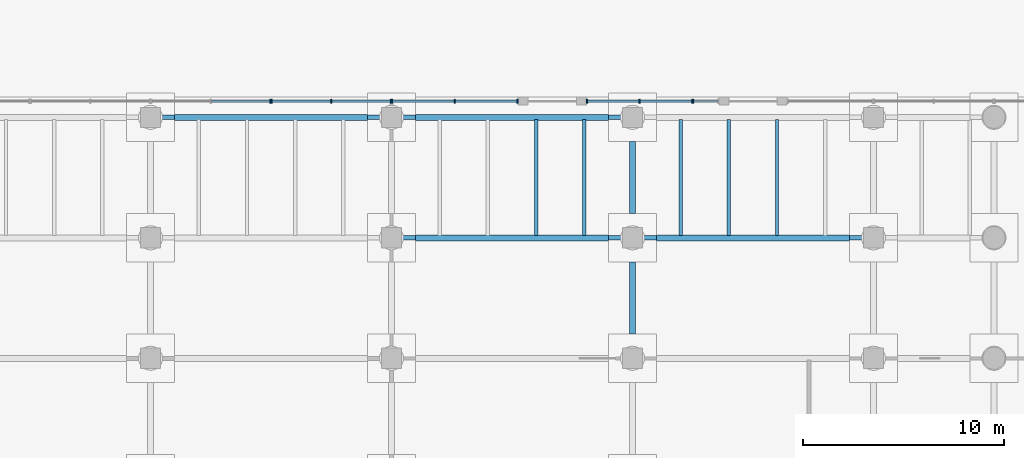
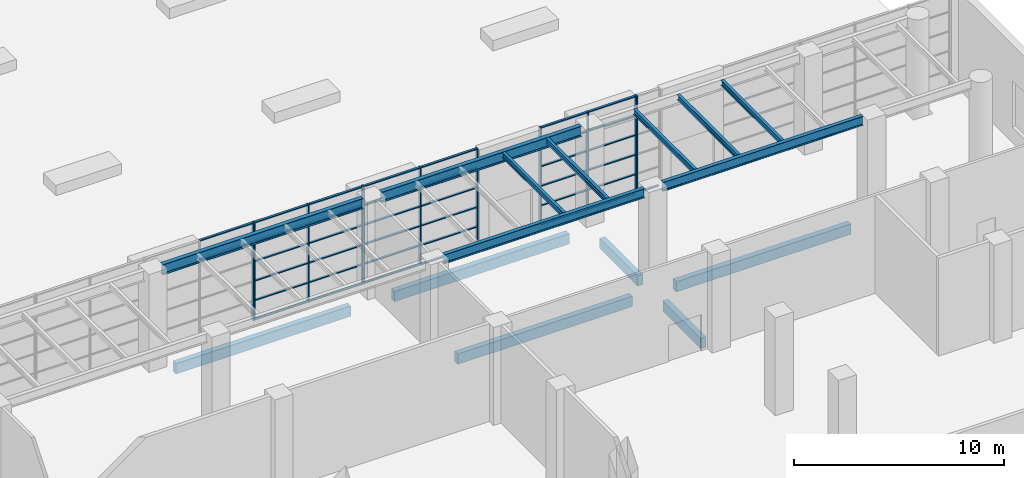
# One storey, part 6 of 27: 50 members, 15 beams, 5 elements without a shape of their own.
"""IFC4 building model written with IfcOpenShell, lengths in metres."""

from ifc_helpers import new_model, si_unit, direction, frame, origin, origin_2d, place, context, subcontext, project, spatial, rectangle, i_section, extrude, source, transform, mapped, material, layer, layer_set, material_profile, profile_set, type_object, element, aggregate, save


model = new_model("IFC4")

# Units and contexts
model_context = context("Model", 3, precision=1e-05, world=origin(), true_north=direction((0.0, 1.0)))
body_context = subcontext(model_context, "Body", "Model", "MODEL_VIEW")
ifc_project = project(units=[si_unit("LENGTHUNIT", "METRE"), si_unit("AREAUNIT", "SQUARE_METRE"), si_unit("VOLUMEUNIT", "CUBIC_METRE"), si_unit("PLANEANGLEUNIT", "RADIAN"), si_unit("MASSUNIT", "GRAM", prefix="KILO")], contexts=[model_context])

# Site, building, storey
site_placement = place(None, origin())
site = spatial("IfcSite", under=ifc_project, at=site_placement, CompositionType="ELEMENT")
building_placement = place(site_placement, origin())
building = spatial("IfcBuilding", under=site, at=building_placement, Name="Poui Terraces", CompositionType="ELEMENT")
storey_placement = place(building_placement, origin())
storey = spatial("IfcBuildingStorey", under=building, at=storey_placement, Name="L00", CompositionType="ELEMENT", Elevation=0.0)

# Curtain wall, member
ifc_material_1 = material(Name="Clear glass", Category="glass")
ifc_layer = layer(ifc_material_1, 0.179931640625)
ifc_layer_set = layer_set([ifc_layer], Name="Clear glass")
curtain_wall_type = type_object("IfcCurtainWallType", Name="CURTAIN WALL CW-B RESIDENT LOBBY GLAZING", PredefinedType="NOTDEFINED", material=ifc_layer_set)
curtain_wall_1_placement = place(storey_placement, origin())
curtain_wall_1 = element("IfcCurtainWall", 1, at=curtain_wall_1_placement, inside=storey, type_object=curtain_wall_type, Name="CW-B RESIDENT LOBBY GLAZING", PredefinedType="NOTDEFINED")
ifc_material_2 = material(Name="Aluminium frame", Category="aluminium")
ifc_material_profile_1 = material_profile(ifc_material_2, rectangle(XDim=0.179931640625, YDim=0.06005859375, at=origin_2d()), Name="CW-B MULLION 60X180")
ifc_profile_set_1 = profile_set([ifc_material_profile_1], Name="Aluminium frame")
member_type_1 = type_object("IfcMemberType", Name="CW-B MULLION 60X180", PredefinedType="MULLION", material=ifc_profile_set_1)
member_1_placement = place(storey_placement, frame((65.969970703125, 74.800048828125, 0.0), z_axis=(0.0, 0.0, 1.0), x_axis=(0.0, -1.0, 0.0)))
member_1 = element("IfcMember", 2, at=member_1_placement, type_object=member_type_1, Name="CW-B mullion 1", PredefinedType="MULLION", context=body_context, shape_type="SweptSolid", body=[
    extrude(rectangle(XDim=0.179931640625, YDim=0.06005859375, at=origin_2d()), origin(), (0.0, 0.0, 1.0), 5.679931640625),
])

# Curtain wall, members
curtain_wall_2_placement = place(storey_placement, origin())
curtain_wall_2 = element("IfcCurtainWall", 3, at=curtain_wall_2_placement, inside=storey, type_object=curtain_wall_type, Name="CW-B RESIDENT LOBBY GLAZING", PredefinedType="NOTDEFINED")
member_2_placement = place(storey_placement, frame((71.969970703125, 74.800048828125, 0.0), z_axis=(0.0, 0.0, 1.0), x_axis=(0.0, -1.0, 0.0)))
member_2 = element("IfcMember", 4, at=member_2_placement, type_object=member_type_1, Name="CW-B mullion 1", PredefinedType="MULLION", context=body_context, shape_type="SweptSolid", body=[
    extrude(rectangle(XDim=0.179931640625, YDim=0.06005859375, at=origin_2d()), origin(), (0.0, 0.0, 1.0), 5.679931640625),
])
member_3_placement = place(storey_placement, frame((69.0, 74.800048828125, 0.0), z_axis=(0.0, 0.0, 1.0), x_axis=(0.0, -1.0, 0.0)))
member_3 = element("IfcMember", 5, at=member_3_placement, type_object=member_type_1, Name="CW-B mullion 2", PredefinedType="MULLION", context=body_context, shape_type="SweptSolid", body=[
    extrude(rectangle(XDim=0.179931640625, YDim=0.06005859375, at=origin_2d()), origin(), (0.0, 0.0, 1.0), 5.679931640625),
])
member_4_placement = place(storey_placement, frame((66.030029296875, 74.800048828125, 0.0), z_axis=(0.0, 0.0, 1.0), x_axis=(0.0, -1.0, 0.0)))
member_4 = element("IfcMember", 6, at=member_4_placement, type_object=member_type_1, Name="CW-B mullion 3", PredefinedType="MULLION", context=body_context, shape_type="SweptSolid", body=[
    extrude(rectangle(XDim=0.179931640625, YDim=0.06005859375, at=origin_2d()), origin(), (0.0, 0.0, 1.0), 5.679931640625),
])

curtain_wall_3_placement = place(storey_placement, origin())
curtain_wall_3 = element("IfcCurtainWall", 7, at=curtain_wall_3_placement, inside=storey, type_object=curtain_wall_type, Name="CW-B RESIDENT LOBBY GLAZING", PredefinedType="NOTDEFINED")
member_5_placement = place(storey_placement, frame((78.27001953125, 74.800048828125, 0.0), z_axis=(0.0, 0.0, 1.0), x_axis=(0.0, -1.0, 0.0)))
member_5 = element("IfcMember", 8, at=member_5_placement, type_object=member_type_1, Name="CW-B mullion 1", PredefinedType="MULLION", context=body_context, shape_type="SweptSolid", body=[
    extrude(rectangle(XDim=0.179931640625, YDim=0.06005859375, at=origin_2d()), origin(), (0.0, 0.0, 1.0), 5.679931640625),
])
member_6_placement = place(storey_placement, frame((75.14990234375, 74.800048828125, 0.0), z_axis=(0.0, 0.0, 1.0), x_axis=(0.0, -1.0, 0.0)))
member_6 = element("IfcMember", 9, at=member_6_placement, type_object=member_type_1, Name="CW-B mullion 2", PredefinedType="MULLION", context=body_context, shape_type="SweptSolid", body=[
    extrude(rectangle(XDim=0.179931640625, YDim=0.06005859375, at=origin_2d()), origin(), (0.0, 0.0, 1.0), 5.679931640625),
])
member_7_placement = place(storey_placement, frame((72.030029296875, 74.800048828125, 0.0), z_axis=(0.0, 0.0, 1.0), x_axis=(0.0, -1.0, 0.0)))
member_7 = element("IfcMember", 10, at=member_7_placement, type_object=member_type_1, Name="CW-B mullion 3", PredefinedType="MULLION", context=body_context, shape_type="SweptSolid", body=[
    extrude(rectangle(XDim=0.179931640625, YDim=0.06005859375, at=origin_2d()), origin(), (0.0, 0.0, 1.0), 5.679931640625),
])

curtain_wall_4_placement = place(storey_placement, origin())
curtain_wall_4 = element("IfcCurtainWall", 11, at=curtain_wall_4_placement, inside=storey, type_object=curtain_wall_type, Name="CW-B RESIDENT LOBBY GLAZING", PredefinedType="NOTDEFINED")
member_8_placement = place(storey_placement, frame((86.969970703125, 74.800048828125, 0.0), z_axis=(0.0, 0.0, 1.0), x_axis=(0.0, -1.0, 0.0)))
member_8 = element("IfcMember", 12, at=member_8_placement, type_object=member_type_1, Name="CW-B mullion 1", PredefinedType="MULLION", context=body_context, shape_type="SweptSolid", body=[
    extrude(rectangle(XDim=0.179931640625, YDim=0.06005859375, at=origin_2d()), origin(), (0.0, 0.0, 1.0), 5.679931640625),
])
member_9_placement = place(storey_placement, frame((84.35009765625, 74.800048828125, 0.0), z_axis=(0.0, 0.0, 1.0), x_axis=(0.0, -1.0, 0.0)))
member_9 = element("IfcMember", 13, at=member_9_placement, type_object=member_type_1, Name="CW-B mullion 2", PredefinedType="MULLION", context=body_context, shape_type="SweptSolid", body=[
    extrude(rectangle(XDim=0.179931640625, YDim=0.06005859375, at=origin_2d()), origin(), (0.0, 0.0, 1.0), 5.679931640625),
])
member_10_placement = place(storey_placement, frame((81.72998046875, 74.800048828125, 0.0), z_axis=(0.0, 0.0, 1.0), x_axis=(0.0, -1.0, 0.0)))
member_10 = element("IfcMember", 14, at=member_10_placement, type_object=member_type_1, Name="CW-B mullion 3", PredefinedType="MULLION", context=body_context, shape_type="SweptSolid", body=[
    extrude(rectangle(XDim=0.179931640625, YDim=0.06005859375, at=origin_2d()), origin(), (0.0, 0.0, 1.0), 5.679931640625),
])

# Curtain wall, member
curtain_wall_5_placement = place(storey_placement, origin())
curtain_wall_5 = element("IfcCurtainWall", 15, at=curtain_wall_5_placement, inside=storey, type_object=curtain_wall_type, Name="CW-B RESIDENT LOBBY GLAZING", PredefinedType="NOTDEFINED")
member_11_placement = place(storey_placement, frame((87.030029296875, 74.800048828125, 0.0), z_axis=(0.0, 0.0, 1.0), x_axis=(0.0, -1.0, 0.0)))
member_11 = element("IfcMember", 16, at=member_11_placement, type_object=member_type_1, Name="CW-B mullion 2", PredefinedType="MULLION", context=body_context, shape_type="SweptSolid", body=[
    extrude(rectangle(XDim=0.179931640625, YDim=0.06005859375, at=origin_2d()), origin(), (0.0, 0.0, 1.0), 5.679931640625),
])

# Member
ifc_material_profile_2 = material_profile(ifc_material_2, rectangle(XDim=0.1201171875, YDim=0.06005859375, at=origin_2d()), Name="CW-B TRANSOM 60X120")
ifc_profile_set_2 = profile_set([ifc_material_profile_2], Name="Aluminium frame")
member_type_2 = type_object("IfcMemberType", Name="CW-B TRANSOM 60X120", PredefinedType="USERDEFINED", material=ifc_profile_set_2)
member_12_placement = place(storey_placement, frame((65.93994140625, 74.800048828125, 4.5439453125), z_axis=(-1.0, 0.0, 0.0), x_axis=(0.0, -1.0, 0.0)))
member_12 = element("IfcMember", 17, at=member_12_placement, type_object=member_type_2, Name="CW-B transom 1.5", ObjectType="TRANSOM", PredefinedType="USERDEFINED", context=body_context, shape_type="SweptSolid", body=[
    extrude(rectangle(XDim=0.1201171875, YDim=0.06005859375, at=origin_2d()), origin(), (0.0, 0.0, 1.0), 2.909912109375),
])

member_13_placement = place(storey_placement, frame((65.93994140625, 74.800048828125, 5.64990234375), z_axis=(-1.0, 0.0, 0.0), x_axis=(0.0, -1.0, 0.0)))
member_13 = element("IfcMember", 18, at=member_13_placement, type_object=member_type_2, Name="CW-B transom 1.6", ObjectType="TRANSOM", PredefinedType="USERDEFINED", context=body_context, shape_type="SweptSolid", body=[
    extrude(rectangle(XDim=0.1201171875, YDim=0.06005859375, at=origin_2d()), origin(), (0.0, 0.0, 1.0), 2.909912109375),
])

aggregate(curtain_wall_1, [member_1, member_12, member_13])

member_14_placement = place(storey_placement, frame((71.93994140625, 74.800048828125, 0.030029296875), z_axis=(-1.0, 0.0, 0.0), x_axis=(0.0, -1.0, 0.0)))
member_14 = element("IfcMember", 19, at=member_14_placement, type_object=member_type_2, Name="CW-B transom 1.1", ObjectType="TRANSOM", PredefinedType="USERDEFINED", context=body_context, shape_type="SweptSolid", body=[
    extrude(rectangle(XDim=0.1201171875, YDim=0.06005859375, at=origin_2d()), origin(), (0.0, 0.0, 1.0), 2.909912109375),
])

member_15_placement = place(storey_placement, frame((71.93994140625, 74.800048828125, 1.135986328125), z_axis=(-1.0, 0.0, 0.0), x_axis=(0.0, -1.0, 0.0)))
member_15 = element("IfcMember", 20, at=member_15_placement, type_object=member_type_2, Name="CW-B transom 1.2", ObjectType="TRANSOM", PredefinedType="USERDEFINED", context=body_context, shape_type="SweptSolid", body=[
    extrude(rectangle(XDim=0.1201171875, YDim=0.06005859375, at=origin_2d()), origin(), (0.0, 0.0, 1.0), 2.909912109375),
])

member_16_placement = place(storey_placement, frame((71.93994140625, 74.800048828125, 2.27197265625), z_axis=(-1.0, 0.0, 0.0), x_axis=(0.0, -1.0, 0.0)))
member_16 = element("IfcMember", 21, at=member_16_placement, type_object=member_type_2, Name="CW-B transom 1.3", ObjectType="TRANSOM", PredefinedType="USERDEFINED", context=body_context, shape_type="SweptSolid", body=[
    extrude(rectangle(XDim=0.1201171875, YDim=0.06005859375, at=origin_2d()), origin(), (0.0, 0.0, 1.0), 2.909912109375),
])

member_17_placement = place(storey_placement, frame((71.93994140625, 74.800048828125, 3.407958984375), z_axis=(-1.0, 0.0, 0.0), x_axis=(0.0, -1.0, 0.0)))
member_17 = element("IfcMember", 22, at=member_17_placement, type_object=member_type_2, Name="CW-B transom 1.4", ObjectType="TRANSOM", PredefinedType="USERDEFINED", context=body_context, shape_type="SweptSolid", body=[
    extrude(rectangle(XDim=0.1201171875, YDim=0.06005859375, at=origin_2d()), origin(), (0.0, 0.0, 1.0), 2.909912109375),
])

member_18_placement = place(storey_placement, frame((71.93994140625, 74.800048828125, 4.5439453125), z_axis=(-1.0, 0.0, 0.0), x_axis=(0.0, -1.0, 0.0)))
member_18 = element("IfcMember", 23, at=member_18_placement, type_object=member_type_2, Name="CW-B transom 1.5", ObjectType="TRANSOM", PredefinedType="USERDEFINED", context=body_context, shape_type="SweptSolid", body=[
    extrude(rectangle(XDim=0.1201171875, YDim=0.06005859375, at=origin_2d()), origin(), (0.0, 0.0, 1.0), 2.909912109375),
])

member_19_placement = place(storey_placement, frame((71.93994140625, 74.800048828125, 5.64990234375), z_axis=(-1.0, 0.0, 0.0), x_axis=(0.0, -1.0, 0.0)))
member_19 = element("IfcMember", 24, at=member_19_placement, type_object=member_type_2, Name="CW-B transom 1.6", ObjectType="TRANSOM", PredefinedType="USERDEFINED", context=body_context, shape_type="SweptSolid", body=[
    extrude(rectangle(XDim=0.1201171875, YDim=0.06005859375, at=origin_2d()), origin(), (0.0, 0.0, 1.0), 2.909912109375),
])

member_20_placement = place(storey_placement, frame((68.969970703125, 74.800048828125, 0.030029296875), z_axis=(-1.0, 0.0, 0.0), x_axis=(0.0, -1.0, 0.0)))
member_20 = element("IfcMember", 25, at=member_20_placement, type_object=member_type_2, Name="CW-B transom 2.1", ObjectType="TRANSOM", PredefinedType="USERDEFINED", context=body_context, shape_type="SweptSolid", body=[
    extrude(rectangle(XDim=0.1201171875, YDim=0.06005859375, at=origin_2d()), origin(), (0.0, 0.0, 1.0), 2.909912109375),
])

member_21_placement = place(storey_placement, frame((68.969970703125, 74.800048828125, 1.135986328125), z_axis=(-1.0, 0.0, 0.0), x_axis=(0.0, -1.0, 0.0)))
member_21 = element("IfcMember", 26, at=member_21_placement, type_object=member_type_2, Name="CW-B transom 2.2", ObjectType="TRANSOM", PredefinedType="USERDEFINED", context=body_context, shape_type="SweptSolid", body=[
    extrude(rectangle(XDim=0.1201171875, YDim=0.06005859375, at=origin_2d()), origin(), (0.0, 0.0, 1.0), 2.909912109375),
])

member_22_placement = place(storey_placement, frame((68.969970703125, 74.800048828125, 2.27197265625), z_axis=(-1.0, 0.0, 0.0), x_axis=(0.0, -1.0, 0.0)))
member_22 = element("IfcMember", 27, at=member_22_placement, type_object=member_type_2, Name="CW-B transom 2.3", ObjectType="TRANSOM", PredefinedType="USERDEFINED", context=body_context, shape_type="SweptSolid", body=[
    extrude(rectangle(XDim=0.1201171875, YDim=0.06005859375, at=origin_2d()), origin(), (0.0, 0.0, 1.0), 2.909912109375),
])

member_23_placement = place(storey_placement, frame((68.969970703125, 74.800048828125, 3.407958984375), z_axis=(-1.0, 0.0, 0.0), x_axis=(0.0, -1.0, 0.0)))
member_23 = element("IfcMember", 28, at=member_23_placement, type_object=member_type_2, Name="CW-B transom 2.4", ObjectType="TRANSOM", PredefinedType="USERDEFINED", context=body_context, shape_type="SweptSolid", body=[
    extrude(rectangle(XDim=0.1201171875, YDim=0.06005859375, at=origin_2d()), origin(), (0.0, 0.0, 1.0), 2.909912109375),
])

member_24_placement = place(storey_placement, frame((68.969970703125, 74.800048828125, 4.5439453125), z_axis=(-1.0, 0.0, 0.0), x_axis=(0.0, -1.0, 0.0)))
member_24 = element("IfcMember", 29, at=member_24_placement, type_object=member_type_2, Name="CW-B transom 2.5", ObjectType="TRANSOM", PredefinedType="USERDEFINED", context=body_context, shape_type="SweptSolid", body=[
    extrude(rectangle(XDim=0.1201171875, YDim=0.06005859375, at=origin_2d()), origin(), (0.0, 0.0, 1.0), 2.909912109375),
])

member_25_placement = place(storey_placement, frame((68.969970703125, 74.800048828125, 5.64990234375), z_axis=(-1.0, 0.0, 0.0), x_axis=(0.0, -1.0, 0.0)))
member_25 = element("IfcMember", 30, at=member_25_placement, type_object=member_type_2, Name="CW-B transom 2.6", ObjectType="TRANSOM", PredefinedType="USERDEFINED", context=body_context, shape_type="SweptSolid", body=[
    extrude(rectangle(XDim=0.1201171875, YDim=0.06005859375, at=origin_2d()), origin(), (0.0, 0.0, 1.0), 2.909912109375),
])

aggregate(curtain_wall_2, [member_2, member_3, member_4, member_14, member_15, member_16, member_17, member_18, member_19, member_20, member_21, member_22, member_23, member_24, member_25])

member_26_placement = place(storey_placement, frame((78.239990234375, 74.800048828125, 0.030029296875), z_axis=(-1.0, 0.0, 0.0), x_axis=(0.0, -1.0, 0.0)))
member_26 = element("IfcMember", 31, at=member_26_placement, type_object=member_type_2, Name="CW-B transom 1.1", ObjectType="TRANSOM", PredefinedType="USERDEFINED", context=body_context, shape_type="SweptSolid", body=[
    extrude(rectangle(XDim=0.1201171875, YDim=0.06005859375, at=origin_2d()), origin(), (0.0, 0.0, 1.0), 3.06005859375),
])

member_27_placement = place(storey_placement, frame((78.239990234375, 74.800048828125, 1.135986328125), z_axis=(-1.0, 0.0, 0.0), x_axis=(0.0, -1.0, 0.0)))
member_27 = element("IfcMember", 32, at=member_27_placement, type_object=member_type_2, Name="CW-B transom 1.2", ObjectType="TRANSOM", PredefinedType="USERDEFINED", context=body_context, shape_type="SweptSolid", body=[
    extrude(rectangle(XDim=0.1201171875, YDim=0.06005859375, at=origin_2d()), origin(), (0.0, 0.0, 1.0), 3.06005859375),
])

member_28_placement = place(storey_placement, frame((78.239990234375, 74.800048828125, 2.27197265625), z_axis=(-1.0, 0.0, 0.0), x_axis=(0.0, -1.0, 0.0)))
member_28 = element("IfcMember", 33, at=member_28_placement, type_object=member_type_2, Name="CW-B transom 1.3", ObjectType="TRANSOM", PredefinedType="USERDEFINED", context=body_context, shape_type="SweptSolid", body=[
    extrude(rectangle(XDim=0.1201171875, YDim=0.06005859375, at=origin_2d()), origin(), (0.0, 0.0, 1.0), 3.06005859375),
])

member_29_placement = place(storey_placement, frame((78.239990234375, 74.800048828125, 3.407958984375), z_axis=(-1.0, 0.0, 0.0), x_axis=(0.0, -1.0, 0.0)))
member_29 = element("IfcMember", 34, at=member_29_placement, type_object=member_type_2, Name="CW-B transom 1.4", ObjectType="TRANSOM", PredefinedType="USERDEFINED", context=body_context, shape_type="SweptSolid", body=[
    extrude(rectangle(XDim=0.1201171875, YDim=0.06005859375, at=origin_2d()), origin(), (0.0, 0.0, 1.0), 3.06005859375),
])

member_30_placement = place(storey_placement, frame((78.239990234375, 74.800048828125, 4.5439453125), z_axis=(-1.0, 0.0, 0.0), x_axis=(0.0, -1.0, 0.0)))
member_30 = element("IfcMember", 35, at=member_30_placement, type_object=member_type_2, Name="CW-B transom 1.5", ObjectType="TRANSOM", PredefinedType="USERDEFINED", context=body_context, shape_type="SweptSolid", body=[
    extrude(rectangle(XDim=0.1201171875, YDim=0.06005859375, at=origin_2d()), origin(), (0.0, 0.0, 1.0), 3.06005859375),
])

member_31_placement = place(storey_placement, frame((78.239990234375, 74.800048828125, 5.64990234375), z_axis=(-1.0, 0.0, 0.0), x_axis=(0.0, -1.0, 0.0)))
member_31 = element("IfcMember", 36, at=member_31_placement, type_object=member_type_2, Name="CW-B transom 1.6", ObjectType="TRANSOM", PredefinedType="USERDEFINED", context=body_context, shape_type="SweptSolid", body=[
    extrude(rectangle(XDim=0.1201171875, YDim=0.06005859375, at=origin_2d()), origin(), (0.0, 0.0, 1.0), 3.06005859375),
])

member_32_placement = place(storey_placement, frame((75.1201171875, 74.800048828125, 0.030029296875), z_axis=(-1.0, 0.0, 0.0), x_axis=(0.0, -1.0, 0.0)))
member_32 = element("IfcMember", 37, at=member_32_placement, type_object=member_type_2, Name="CW-B transom 2.1", ObjectType="TRANSOM", PredefinedType="USERDEFINED", context=body_context, shape_type="SweptSolid", body=[
    extrude(rectangle(XDim=0.1201171875, YDim=0.06005859375, at=origin_2d()), origin(), (0.0, 0.0, 1.0), 3.06005859375),
])

member_33_placement = place(storey_placement, frame((75.1201171875, 74.800048828125, 1.135986328125), z_axis=(-1.0, 0.0, 0.0), x_axis=(0.0, -1.0, 0.0)))
member_33 = element("IfcMember", 38, at=member_33_placement, type_object=member_type_2, Name="CW-B transom 2.2", ObjectType="TRANSOM", PredefinedType="USERDEFINED", context=body_context, shape_type="SweptSolid", body=[
    extrude(rectangle(XDim=0.1201171875, YDim=0.06005859375, at=origin_2d()), origin(), (0.0, 0.0, 1.0), 3.06005859375),
])

member_34_placement = place(storey_placement, frame((75.1201171875, 74.800048828125, 2.27197265625), z_axis=(-1.0, 0.0, 0.0), x_axis=(0.0, -1.0, 0.0)))
member_34 = element("IfcMember", 39, at=member_34_placement, type_object=member_type_2, Name="CW-B transom 2.3", ObjectType="TRANSOM", PredefinedType="USERDEFINED", context=body_context, shape_type="SweptSolid", body=[
    extrude(rectangle(XDim=0.1201171875, YDim=0.06005859375, at=origin_2d()), origin(), (0.0, 0.0, 1.0), 3.06005859375),
])

member_35_placement = place(storey_placement, frame((75.1201171875, 74.800048828125, 3.407958984375), z_axis=(-1.0, 0.0, 0.0), x_axis=(0.0, -1.0, 0.0)))
member_35 = element("IfcMember", 40, at=member_35_placement, type_object=member_type_2, Name="CW-B transom 2.4", ObjectType="TRANSOM", PredefinedType="USERDEFINED", context=body_context, shape_type="SweptSolid", body=[
    extrude(rectangle(XDim=0.1201171875, YDim=0.06005859375, at=origin_2d()), origin(), (0.0, 0.0, 1.0), 3.06005859375),
])

member_36_placement = place(storey_placement, frame((75.1201171875, 74.800048828125, 4.5439453125), z_axis=(-1.0, 0.0, 0.0), x_axis=(0.0, -1.0, 0.0)))
member_36 = element("IfcMember", 41, at=member_36_placement, type_object=member_type_2, Name="CW-B transom 2.5", ObjectType="TRANSOM", PredefinedType="USERDEFINED", context=body_context, shape_type="SweptSolid", body=[
    extrude(rectangle(XDim=0.1201171875, YDim=0.06005859375, at=origin_2d()), origin(), (0.0, 0.0, 1.0), 3.06005859375),
])

member_37_placement = place(storey_placement, frame((75.1201171875, 74.800048828125, 5.64990234375), z_axis=(-1.0, 0.0, 0.0), x_axis=(0.0, -1.0, 0.0)))
member_37 = element("IfcMember", 42, at=member_37_placement, type_object=member_type_2, Name="CW-B transom 2.6", ObjectType="TRANSOM", PredefinedType="USERDEFINED", context=body_context, shape_type="SweptSolid", body=[
    extrude(rectangle(XDim=0.1201171875, YDim=0.06005859375, at=origin_2d()), origin(), (0.0, 0.0, 1.0), 3.06005859375),
])

aggregate(curtain_wall_3, [member_5, member_6, member_7, member_26, member_27, member_28, member_29, member_30, member_31, member_32, member_33, member_34, member_35, member_36, member_37])

member_38_placement = place(storey_placement, frame((86.93994140625, 74.800048828125, 0.030029296875), z_axis=(-1.0, 0.0, 0.0), x_axis=(0.0, -1.0, 0.0)))
member_38 = element("IfcMember", 43, at=member_38_placement, type_object=member_type_2, Name="CW-B transom 1.1", ObjectType="TRANSOM", PredefinedType="USERDEFINED", context=body_context, shape_type="SweptSolid", body=[
    extrude(rectangle(XDim=0.1201171875, YDim=0.06005859375, at=origin_2d()), origin(), (0.0, 0.0, 1.0), 2.56005859375),
])

member_39_placement = place(storey_placement, frame((86.93994140625, 74.800048828125, 1.135986328125), z_axis=(-1.0, 0.0, 0.0), x_axis=(0.0, -1.0, 0.0)))
member_39 = element("IfcMember", 44, at=member_39_placement, type_object=member_type_2, Name="CW-B transom 1.2", ObjectType="TRANSOM", PredefinedType="USERDEFINED", context=body_context, shape_type="SweptSolid", body=[
    extrude(rectangle(XDim=0.1201171875, YDim=0.06005859375, at=origin_2d()), origin(), (0.0, 0.0, 1.0), 2.56005859375),
])

member_40_placement = place(storey_placement, frame((86.93994140625, 74.800048828125, 2.27197265625), z_axis=(-1.0, 0.0, 0.0), x_axis=(0.0, -1.0, 0.0)))
member_40 = element("IfcMember", 45, at=member_40_placement, type_object=member_type_2, Name="CW-B transom 1.3", ObjectType="TRANSOM", PredefinedType="USERDEFINED", context=body_context, shape_type="SweptSolid", body=[
    extrude(rectangle(XDim=0.1201171875, YDim=0.06005859375, at=origin_2d()), origin(), (0.0, 0.0, 1.0), 2.56005859375),
])

member_41_placement = place(storey_placement, frame((86.93994140625, 74.800048828125, 3.407958984375), z_axis=(-1.0, 0.0, 0.0), x_axis=(0.0, -1.0, 0.0)))
member_41 = element("IfcMember", 46, at=member_41_placement, type_object=member_type_2, Name="CW-B transom 1.4", ObjectType="TRANSOM", PredefinedType="USERDEFINED", context=body_context, shape_type="SweptSolid", body=[
    extrude(rectangle(XDim=0.1201171875, YDim=0.06005859375, at=origin_2d()), origin(), (0.0, 0.0, 1.0), 2.56005859375),
])

member_42_placement = place(storey_placement, frame((86.93994140625, 74.800048828125, 4.5439453125), z_axis=(-1.0, 0.0, 0.0), x_axis=(0.0, -1.0, 0.0)))
member_42 = element("IfcMember", 47, at=member_42_placement, type_object=member_type_2, Name="CW-B transom 1.5", ObjectType="TRANSOM", PredefinedType="USERDEFINED", context=body_context, shape_type="SweptSolid", body=[
    extrude(rectangle(XDim=0.1201171875, YDim=0.06005859375, at=origin_2d()), origin(), (0.0, 0.0, 1.0), 2.56005859375),
])

member_43_placement = place(storey_placement, frame((86.93994140625, 74.800048828125, 5.64990234375), z_axis=(-1.0, 0.0, 0.0), x_axis=(0.0, -1.0, 0.0)))
member_43 = element("IfcMember", 48, at=member_43_placement, type_object=member_type_2, Name="CW-B transom 1.6", ObjectType="TRANSOM", PredefinedType="USERDEFINED", context=body_context, shape_type="SweptSolid", body=[
    extrude(rectangle(XDim=0.1201171875, YDim=0.06005859375, at=origin_2d()), origin(), (0.0, 0.0, 1.0), 2.56005859375),
])

member_44_placement = place(storey_placement, frame((84.320068359375, 74.800048828125, 0.030029296875), z_axis=(-1.0, 0.0, 0.0), x_axis=(0.0, -1.0, 0.0)))
member_44 = element("IfcMember", 49, at=member_44_placement, type_object=member_type_2, Name="CW-B transom 2.1", ObjectType="TRANSOM", PredefinedType="USERDEFINED", context=body_context, shape_type="SweptSolid", body=[
    extrude(rectangle(XDim=0.1201171875, YDim=0.06005859375, at=origin_2d()), origin(), (0.0, 0.0, 1.0), 2.56005859375),
])

member_45_placement = place(storey_placement, frame((84.320068359375, 74.800048828125, 1.135986328125), z_axis=(-1.0, 0.0, 0.0), x_axis=(0.0, -1.0, 0.0)))
member_45 = element("IfcMember", 50, at=member_45_placement, type_object=member_type_2, Name="CW-B transom 2.2", ObjectType="TRANSOM", PredefinedType="USERDEFINED", context=body_context, shape_type="SweptSolid", body=[
    extrude(rectangle(XDim=0.1201171875, YDim=0.06005859375, at=origin_2d()), origin(), (0.0, 0.0, 1.0), 2.56005859375),
])

member_46_placement = place(storey_placement, frame((84.320068359375, 74.800048828125, 2.27197265625), z_axis=(-1.0, 0.0, 0.0), x_axis=(0.0, -1.0, 0.0)))
member_46 = element("IfcMember", 51, at=member_46_placement, type_object=member_type_2, Name="CW-B transom 2.3", ObjectType="TRANSOM", PredefinedType="USERDEFINED", context=body_context, shape_type="SweptSolid", body=[
    extrude(rectangle(XDim=0.1201171875, YDim=0.06005859375, at=origin_2d()), origin(), (0.0, 0.0, 1.0), 2.56005859375),
])

member_47_placement = place(storey_placement, frame((84.320068359375, 74.800048828125, 3.407958984375), z_axis=(-1.0, 0.0, 0.0), x_axis=(0.0, -1.0, 0.0)))
member_47 = element("IfcMember", 52, at=member_47_placement, type_object=member_type_2, Name="CW-B transom 2.4", ObjectType="TRANSOM", PredefinedType="USERDEFINED", context=body_context, shape_type="SweptSolid", body=[
    extrude(rectangle(XDim=0.1201171875, YDim=0.06005859375, at=origin_2d()), origin(), (0.0, 0.0, 1.0), 2.56005859375),
])

member_48_placement = place(storey_placement, frame((84.320068359375, 74.800048828125, 4.5439453125), z_axis=(-1.0, 0.0, 0.0), x_axis=(0.0, -1.0, 0.0)))
member_48 = element("IfcMember", 53, at=member_48_placement, type_object=member_type_2, Name="CW-B transom 2.5", ObjectType="TRANSOM", PredefinedType="USERDEFINED", context=body_context, shape_type="SweptSolid", body=[
    extrude(rectangle(XDim=0.1201171875, YDim=0.06005859375, at=origin_2d()), origin(), (0.0, 0.0, 1.0), 2.56005859375),
])

member_49_placement = place(storey_placement, frame((84.320068359375, 74.800048828125, 5.64990234375), z_axis=(-1.0, 0.0, 0.0), x_axis=(0.0, -1.0, 0.0)))
member_49 = element("IfcMember", 54, at=member_49_placement, type_object=member_type_2, Name="CW-B transom 2.6", ObjectType="TRANSOM", PredefinedType="USERDEFINED", context=body_context, shape_type="SweptSolid", body=[
    extrude(rectangle(XDim=0.1201171875, YDim=0.06005859375, at=origin_2d()), origin(), (0.0, 0.0, 1.0), 2.56005859375),
])

aggregate(curtain_wall_4, [member_8, member_9, member_10, member_38, member_39, member_40, member_41, member_42, member_43, member_44, member_45, member_46, member_47, member_48, member_49])

member_50_placement = place(storey_placement, frame((88.239990234375, 74.800048828125, 0.030029296875), z_axis=(-1.0, 0.0, 0.0), x_axis=(0.0, -1.0, 0.0)))
member_50 = element("IfcMember", 55, at=member_50_placement, type_object=member_type_2, Name="CW-B transom 1.1", ObjectType="TRANSOM", PredefinedType="USERDEFINED", context=body_context, shape_type="SweptSolid", body=[
    extrude(rectangle(XDim=0.1201171875, YDim=0.06005859375, at=origin_2d()), origin(), (0.0, 0.0, 1.0), 1.179931640625),
])

aggregate(curtain_wall_5, [member_11, member_50])

# Beams
ifc_material_3 = material(Name="Concrete 50 MPa", Category="concrete")
ifc_material_profile_3 = material_profile(ifc_material_3, rectangle(XDim=0.300048828125, YDim=0.60009765625, at=origin_2d()), Name="RC 300x600")
ifc_profile_set_3 = profile_set([ifc_material_profile_3], Name="Concrete 50 MPa")
beam_type_1 = type_object("IfcBeamType", Name="GROUND TIE BEAM 300x600 50MPa", PredefinedType="BEAM", material=ifc_profile_set_3)
shared_shape_1 = source(origin(), body_context, "Body", "SweptSolid", [
    extrude(rectangle(XDim=0.300048828125, YDim=0.60009765625, at=origin_2d()), origin(), (0.0, 0.0, 1.0), 9.60009765625),
])
for number, where, z_axis, x_axis, name in (
    (56, (73.199951171875, 68.0, -0.60009765625), (1.0, 0.0, 0.0), (0.0, 1.0, 0.0), "GROUND TIE BEAM"),
    (57, (85.199951171875, 68.0, -0.60009765625), (1.0, 0.0, 0.0), (0.0, 1.0, 0.0), "GROUND TIE BEAM"),
    (58, (61.199951171875, 74.0, -0.60009765625), (1.0, 0.0, 0.0), (0.0, 1.0, 0.0), "GROUND TIE BEAM"),
    (59, (73.199951171875, 74.0, -0.60009765625), (1.0, 0.0, 0.0), (0.0, 1.0, 0.0), "GROUND TIE BEAM"),
):
    element("IfcBeam", number, at=place(storey_placement, frame(where, z_axis=z_axis, x_axis=x_axis)), inside=storey, type_object=beam_type_1, Name=name, PredefinedType="BEAM", context=body_context, shape_type="MappedRepresentation", body=[
        mapped(shared_shape_1, transform((0.0, 0.0, 0.0))),
    ])
shared_shape_2 = source(origin(), body_context, "Body", "SweptSolid", [
    extrude(rectangle(XDim=0.300048828125, YDim=0.60009765625, at=origin_2d()), origin(), (0.0, 0.0, 1.0), 3.60009765625),
])
for number, where, z_axis, x_axis, name in (
    (60, (84.0, 63.199951171875, -0.60009765625), (0.0, 1.0, 0.0), (-1.0, 0.0, 0.0), "GROUND TIE BEAM"),
    (61, (84.0, 69.199951171875, -0.60009765625), (0.0, 1.0, 0.0), (-1.0, 0.0, 0.0), "GROUND TIE BEAM"),
):
    element("IfcBeam", number, at=place(storey_placement, frame(where, z_axis=z_axis, x_axis=x_axis)), inside=storey, type_object=beam_type_1, Name=name, PredefinedType="BEAM", context=body_context, shape_type="MappedRepresentation", body=[
        mapped(shared_shape_2, transform((0.0, 0.0, 0.0))),
    ])
ifc_material_4 = material(Name="Steel Grade 300 MPa", Category="steel")
ifc_material_profile_4 = material_profile(ifc_material_4, i_section(OverallWidth=0.22900390625, OverallDepth=0.611572265625, WebThickness=0.011962890625, FlangeThickness=0.01953125, FilletRadius=0.013916015625, at=origin_2d()), Name="610UB125")
ifc_profile_set_4 = profile_set([ifc_material_profile_4], Name="Steel Grade 300 MPa")
beam_type_2 = type_object("IfcBeamType", Name="TERRACE GIRDER 610UB125", PredefinedType="BEAM", material=ifc_profile_set_4)
shared_shape_3 = source(origin(), body_context, "Body", "SweptSolid", [
    extrude(i_section(OverallWidth=0.22900390625, OverallDepth=0.611572265625, WebThickness=0.011962890625, FlangeThickness=0.01953125, FilletRadius=0.013916015625, at=origin_2d()), origin(), (0.0, 0.0, 1.0), 11.0),
])
for number, where, z_axis, x_axis, name in (
    (62, (60.5, 74.0, 5.374267578125), (1.0, 0.0, 0.0), (0.0, 1.0, 0.0), "TERRACE GIRDER"),
    (63, (72.5, 74.0, 5.374267578125), (1.0, 0.0, 0.0), (0.0, 1.0, 0.0), "TERRACE GIRDER"),
):
    element("IfcBeam", number, at=place(storey_placement, frame(where, z_axis=z_axis, x_axis=x_axis)), inside=storey, type_object=beam_type_2, Name=name, PredefinedType="BEAM", context=body_context, shape_type="MappedRepresentation", body=[
        mapped(shared_shape_3, transform((0.0, 0.0, 0.0))),
    ])
ifc_material_profile_5 = material_profile(ifc_material_4, i_section(OverallWidth=0.208984375, OverallDepth=0.532958984375, WebThickness=0.01025390625, FlangeThickness=0.015625, FilletRadius=0.013916015625, at=origin_2d()), Name="530UB92.4")
ifc_profile_set_5 = profile_set([ifc_material_profile_5], Name="Steel Grade 300 MPa")
beam_type_3 = type_object("IfcBeamType", Name="TERRACE INNER GIRDER 530UB92.4", PredefinedType="BEAM", material=ifc_profile_set_5)
shared_shape_4 = source(origin(), body_context, "Body", "SweptSolid", [
    extrude(i_section(OverallWidth=0.208984375, OverallDepth=0.532958984375, WebThickness=0.01025390625, FlangeThickness=0.015625, FilletRadius=0.013916015625, at=origin_2d()), origin(), (0.0, 0.0, 1.0), 11.0),
])
for number, where, z_axis, x_axis, name in (
    (64, (72.5, 68.0, 5.41357421875), (1.0, 0.0, 0.0), (0.0, 1.0, 0.0), "TERRACE GIRDER"),
    (65, (84.5, 68.0, 5.41357421875), (1.0, 0.0, 0.0), (0.0, 1.0, 0.0), "TERRACE GIRDER"),
):
    element("IfcBeam", number, at=place(storey_placement, frame(where, z_axis=z_axis, x_axis=x_axis)), inside=storey, type_object=beam_type_3, Name=name, PredefinedType="BEAM", context=body_context, shape_type="MappedRepresentation", body=[
        mapped(shared_shape_4, transform((0.0, 0.0, 0.0))),
    ])
ifc_material_profile_6 = material_profile(ifc_material_4, i_section(OverallWidth=0.166015625, OverallDepth=0.30712890625, WebThickness=0.006591796875, FlangeThickness=0.01171875, FilletRadius=0.011474609375, at=origin_2d()), Name="310UB46.2")
ifc_profile_set_6 = profile_set([ifc_material_profile_6], Name="Steel Grade 300 MPa")
beam_type_4 = type_object("IfcBeamType", Name="TERRACE BEAM 310UB46.2", PredefinedType="BEAM", material=ifc_profile_set_6)
shared_shape_5 = source(origin(), body_context, "Body", "SweptSolid", [
    extrude(i_section(OverallWidth=0.166015625, OverallDepth=0.30712890625, WebThickness=0.006591796875, FlangeThickness=0.01171875, FilletRadius=0.011474609375, at=origin_2d()), origin(), (0.0, 0.0, 1.0), 5.781005859375),
])
for number, where, z_axis, x_axis, name in (
    (66, (79.199951171875, 68.1044921875, 5.5263671875), (0.0, 1.0, 0.0), (-1.0, 0.0, 0.0), "TERRACE BEAM"),
    (67, (81.60009765625, 68.1044921875, 5.5263671875), (0.0, 1.0, 0.0), (-1.0, 0.0, 0.0), "TERRACE BEAM"),
    (68, (86.39990234375, 68.1044921875, 5.5263671875), (0.0, 1.0, 0.0), (-1.0, 0.0, 0.0), "TERRACE BEAM"),
    (69, (88.800048828125, 68.1044921875, 5.5263671875), (0.0, 1.0, 0.0), (-1.0, 0.0, 0.0), "TERRACE BEAM"),
    (70, (91.199951171875, 68.1044921875, 5.5263671875), (0.0, 1.0, 0.0), (-1.0, 0.0, 0.0), "TERRACE BEAM"),
):
    element("IfcBeam", number, at=place(storey_placement, frame(where, z_axis=z_axis, x_axis=x_axis)), inside=storey, type_object=beam_type_4, Name=name, PredefinedType="BEAM", context=body_context, shape_type="MappedRepresentation", body=[
        mapped(shared_shape_5, transform((0.0, 0.0, 0.0))),
    ])

save(model, "model.ifc")
